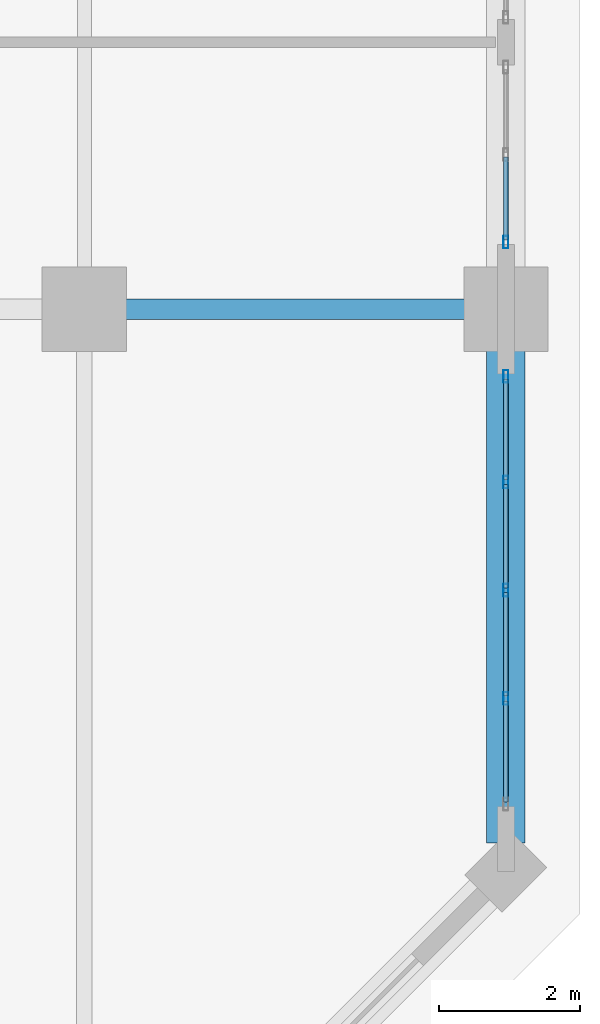
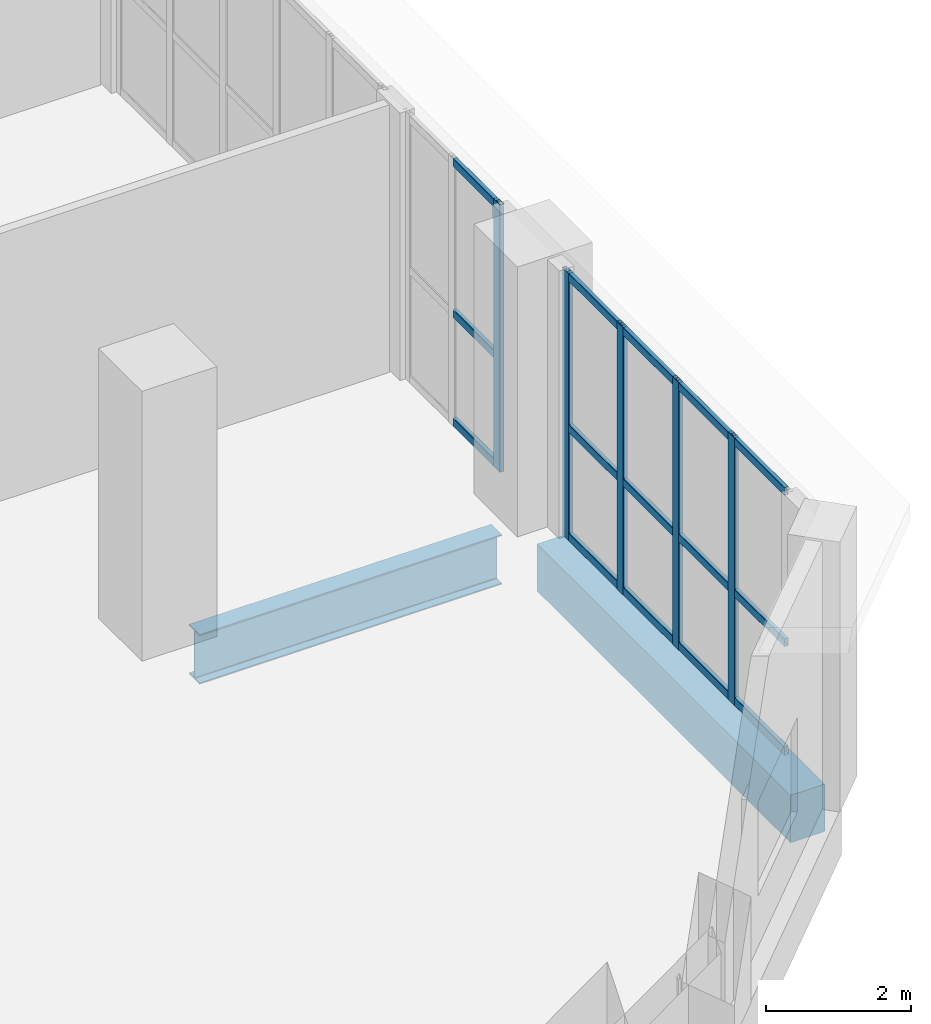
# One storey, part 20 of 37: 20 members, 2 beams, 2 elements without a shape of their own.
"""IFC4 building model written with IfcOpenShell, lengths in metres."""

from ifc_helpers import new_model, si_unit, direction, frame, origin, origin_2d, place, context, subcontext, project, spatial, rectangle, hollow_rectangle, i_section, extrude, material, layer, layer_set, material_profile, profile_set, type_object, element, aggregate, save


model = new_model("IFC4")

# Units and contexts
model_context = context("Model", 3, precision=1e-05, world=origin(), true_north=direction((0.0, 1.0)))
body_context = subcontext(model_context, "Body", "Model", "MODEL_VIEW")
ifc_project = project(units=[si_unit("LENGTHUNIT", "METRE"), si_unit("AREAUNIT", "SQUARE_METRE"), si_unit("VOLUMEUNIT", "CUBIC_METRE"), si_unit("PLANEANGLEUNIT", "RADIAN"), si_unit("MASSUNIT", "GRAM", prefix="KILO")], contexts=[model_context])

# Site, building, storey
site_placement = place(None, origin())
site = spatial("IfcSite", under=ifc_project, at=site_placement, CompositionType="ELEMENT")
building_placement = place(site_placement, origin())
building = spatial("IfcBuilding", under=site, at=building_placement, Name="Kaelvorn Grand Hotel", CompositionType="ELEMENT")
storey_placement = place(building_placement, frame((0.0, 0.0, 224.35009765625)))
storey = spatial("IfcBuildingStorey", under=building, at=storey_placement, Name="L55", CompositionType="ELEMENT", Elevation=224.35009765625)

# Beams
ifc_material_1 = material(Name="Steel S355", Category="steel")
ifc_material_profile_1 = material_profile(ifc_material_1, i_section(OverallWidth=0.29248046875, OverallDepth=0.8408203125, WebThickness=0.0146484375, FlangeThickness=0.021728515625, FilletRadius=0.017822265625, at=origin_2d()), Name="UB 838x292x194")
ifc_profile_set_1 = profile_set([ifc_material_profile_1], Name="Steel S355")
beam_type_1 = type_object("IfcBeamType", Name="BM-G-UB838-S355", PredefinedType="BEAM", material=ifc_profile_set_1)
beam_1_placement = place(storey_placement, frame((75.5849609375, 15.0, -0.660400390625), z_axis=(1.0, 0.0, 0.0), x_axis=(0.0, 1.0, 0.0)))
element("IfcBeam", 1, at=beam_1_placement, inside=storey, type_object=beam_type_1, Name="L55 Primary Spine Steel Girder G-15 07", PredefinedType="BEAM", context=body_context, shape_type="SweptSolid", body=[
    extrude(i_section(OverallWidth=0.29248046875, OverallDepth=0.8408203125, WebThickness=0.0146484375, FlangeThickness=0.021728515625, FilletRadius=0.017822265625, at=origin_2d()), origin(), (0.0, 0.0, 1.0), 4.830078125),
])
ifc_material_2 = material(Name="Concrete C50/60", Category="concrete")
ifc_material_profile_2 = material_profile(ifc_material_2, rectangle(XDim=0.550048828125, YDim=0.800048828125, at=origin_2d()), Name="RC SPANDREL 550x800")
ifc_profile_set_2 = profile_set([ifc_material_profile_2], Name="Concrete C50/60")
beam_type_2 = type_object("IfcBeamType", Name="BM-SP-550x800-C50", PredefinedType="SPANDREL", material=ifc_profile_set_2)
beam_2_placement = place(storey_placement, frame((81.0, 7.405029296875, -0.64013671875), z_axis=(0.0, 1.0, 0.0), x_axis=(-1.0, 0.0, 0.0)))
element("IfcBeam", 2, at=beam_2_placement, inside=storey, type_object=beam_type_2, Name="L55 East Perimeter Spandrel 01", PredefinedType="SPANDREL", context=body_context, shape_type="SweptSolid", body=[
    extrude(rectangle(XDim=0.550048828125, YDim=0.800048828125, at=origin_2d()), origin(), (0.0, 0.0, 1.0), 7.010009765625),
])

# Curtain wall, members
ifc_material_3 = material(Name="Anodised Aluminium", Category="aluminium")
ifc_layer = layer(ifc_material_3, 0.179931640625)
ifc_layer_set = layer_set([ifc_layer], Name="Anodised Aluminium")
curtain_wall_type = type_object("IfcCurtainWallType", Name="CW-SYS4", PredefinedType="NOTDEFINED", material=ifc_layer_set)
curtain_wall_1_placement = place(storey_placement, origin())
curtain_wall_1 = element("IfcCurtainWall", 3, at=curtain_wall_1_placement, inside=storey, type_object=curtain_wall_type, Name="L55 Unitised Curtain Wall CW4 (CW-L55-E-01)", PredefinedType="NOTDEFINED")
ifc_material_profile_3 = material_profile(ifc_material_3, hollow_rectangle(XDim=0.070068359375, YDim=0.179931640625, WallThickness=0.00390625, InnerFilletRadius=0.00390625, OuterFilletRadius=0.008056640625, at=origin_2d()), Name="ALU MULL 70x180")
ifc_profile_set_3 = profile_set([ifc_material_profile_3], Name="Anodised Aluminium")
member_type_1 = type_object("IfcMemberType", Name="CW-SYS4-MULL", PredefinedType="MULLION", material=ifc_profile_set_3)
member_1_placement = place(storey_placement, frame((81.0, 9.4599609375, 0.0), z_axis=(0.0, 0.0, 1.0), x_axis=(-1.0, 0.0, 0.0)))
member_1 = element("IfcMember", 4, at=member_1_placement, type_object=member_type_1, Name="CW4 mullion 2", PredefinedType="MULLION", context=body_context, shape_type="SweptSolid", body=[
    extrude(hollow_rectangle(XDim=0.070068359375, YDim=0.179931640625, WallThickness=0.00390625, InnerFilletRadius=0.00390625, OuterFilletRadius=0.008056640625, at=origin_2d()), origin(), (0.0, 0.0, 1.0), 4.52001953125),
])
member_2_placement = place(storey_placement, frame((81.0, 11.0, 0.0), z_axis=(0.0, 0.0, 1.0), x_axis=(-1.0, 0.0, 0.0)))
member_2 = element("IfcMember", 5, at=member_2_placement, type_object=member_type_1, Name="CW4 mullion 3", PredefinedType="MULLION", context=body_context, shape_type="SweptSolid", body=[
    extrude(hollow_rectangle(XDim=0.070068359375, YDim=0.179931640625, WallThickness=0.00390625, InnerFilletRadius=0.00390625, OuterFilletRadius=0.008056640625, at=origin_2d()), origin(), (0.0, 0.0, 1.0), 4.52001953125),
])
member_3_placement = place(storey_placement, frame((81.0, 12.5400390625, 0.0), z_axis=(0.0, 0.0, 1.0), x_axis=(-1.0, 0.0, 0.0)))
member_3 = element("IfcMember", 6, at=member_3_placement, type_object=member_type_1, Name="CW4 mullion 4", PredefinedType="MULLION", context=body_context, shape_type="SweptSolid", body=[
    extrude(hollow_rectangle(XDim=0.070068359375, YDim=0.179931640625, WallThickness=0.00390625, InnerFilletRadius=0.00390625, OuterFilletRadius=0.008056640625, at=origin_2d()), origin(), (0.0, 0.0, 1.0), 4.52001953125),
])
member_4_placement = place(storey_placement, frame((81.0, 14.044921875, 0.0), z_axis=(0.0, 0.0, 1.0), x_axis=(-1.0, 0.0, 0.0)))
member_4 = element("IfcMember", 7, at=member_4_placement, type_object=member_type_1, Name="CW4 mullion 5", PredefinedType="MULLION", context=body_context, shape_type="SweptSolid", body=[
    extrude(hollow_rectangle(XDim=0.070068359375, YDim=0.179931640625, WallThickness=0.00390625, InnerFilletRadius=0.00390625, OuterFilletRadius=0.008056640625, at=origin_2d()), origin(), (0.0, 0.0, 1.0), 4.52001953125),
])

# Curtain wall, member
curtain_wall_2_placement = place(storey_placement, origin())
curtain_wall_2 = element("IfcCurtainWall", 8, at=curtain_wall_2_placement, inside=storey, type_object=curtain_wall_type, Name="L55 Unitised Curtain Wall CW4 (CW-L55-E-02)", PredefinedType="NOTDEFINED")
member_5_placement = place(storey_placement, frame((81.0, 15.955078125, 0.0), z_axis=(0.0, 0.0, 1.0), x_axis=(-1.0, 0.0, 0.0)))
member_5 = element("IfcMember", 9, at=member_5_placement, type_object=member_type_1, Name="CW4 mullion 1", PredefinedType="MULLION", context=body_context, shape_type="SweptSolid", body=[
    extrude(hollow_rectangle(XDim=0.070068359375, YDim=0.179931640625, WallThickness=0.00390625, InnerFilletRadius=0.00390625, OuterFilletRadius=0.008056640625, at=origin_2d()), origin(), (0.0, 0.0, 1.0), 4.52001953125),
])

# Member
ifc_material_profile_4 = material_profile(ifc_material_3, hollow_rectangle(XDim=0.070068359375, YDim=0.135009765625, WallThickness=0.00341796875, InnerFilletRadius=0.00341796875, OuterFilletRadius=0.007080078125, at=origin_2d()), Name="ALU TRAN 70x135")
ifc_profile_set_4 = profile_set([ifc_material_profile_4], Name="Anodised Aluminium")
member_type_2 = type_object("IfcMemberType", Name="CW-SYS4-TRAN", PredefinedType="NOTDEFINED", material=ifc_profile_set_4)
member_6_placement = place(storey_placement, frame((81.0, 7.989990234375, 0.0673828125), z_axis=(0.0, 1.0, 0.0), x_axis=(-1.0, 0.0, 0.0)))
member_6 = element("IfcMember", 10, at=member_6_placement, type_object=member_type_2, Name="CW4 transom 1.1", ObjectType="TRANSOM", PredefinedType="USERDEFINED", context=body_context, shape_type="SweptSolid", body=[
    extrude(hollow_rectangle(XDim=0.070068359375, YDim=0.135009765625, WallThickness=0.00341796875, InnerFilletRadius=0.00341796875, OuterFilletRadius=0.007080078125, at=origin_2d()), origin(), (0.0, 0.0, 1.0), 1.43505859375),
])

member_7_placement = place(storey_placement, frame((81.0, 7.989990234375, 1.898193359375), z_axis=(0.0, 1.0, 0.0), x_axis=(-1.0, 0.0, 0.0)))
member_7 = element("IfcMember", 11, at=member_7_placement, type_object=member_type_2, Name="CW4 transom 1.2", ObjectType="TRANSOM", PredefinedType="USERDEFINED", context=body_context, shape_type="SweptSolid", body=[
    extrude(hollow_rectangle(XDim=0.070068359375, YDim=0.135009765625, WallThickness=0.00341796875, InnerFilletRadius=0.00341796875, OuterFilletRadius=0.007080078125, at=origin_2d()), origin(), (0.0, 0.0, 1.0), 1.43505859375),
])

member_8_placement = place(storey_placement, frame((81.0, 7.989990234375, 4.452392578125), z_axis=(0.0, 1.0, 0.0), x_axis=(-1.0, 0.0, 0.0)))
member_8 = element("IfcMember", 12, at=member_8_placement, type_object=member_type_2, Name="CW4 transom 1.3", ObjectType="TRANSOM", PredefinedType="USERDEFINED", context=body_context, shape_type="SweptSolid", body=[
    extrude(hollow_rectangle(XDim=0.070068359375, YDim=0.135009765625, WallThickness=0.00341796875, InnerFilletRadius=0.00341796875, OuterFilletRadius=0.007080078125, at=origin_2d()), origin(), (0.0, 0.0, 1.0), 1.43505859375),
])

member_9_placement = place(storey_placement, frame((81.0, 9.4951171875, 0.0673828125), z_axis=(0.0, 1.0, 0.0), x_axis=(-1.0, 0.0, 0.0)))
member_9 = element("IfcMember", 13, at=member_9_placement, type_object=member_type_2, Name="CW4 transom 2.1", ObjectType="TRANSOM", PredefinedType="USERDEFINED", context=body_context, shape_type="SweptSolid", body=[
    extrude(hollow_rectangle(XDim=0.070068359375, YDim=0.135009765625, WallThickness=0.00341796875, InnerFilletRadius=0.00341796875, OuterFilletRadius=0.007080078125, at=origin_2d()), origin(), (0.0, 0.0, 1.0), 1.469970703125),
])

member_10_placement = place(storey_placement, frame((81.0, 9.4951171875, 1.898193359375), z_axis=(0.0, 1.0, 0.0), x_axis=(-1.0, 0.0, 0.0)))
member_10 = element("IfcMember", 14, at=member_10_placement, type_object=member_type_2, Name="CW4 transom 2.2", ObjectType="TRANSOM", PredefinedType="USERDEFINED", context=body_context, shape_type="SweptSolid", body=[
    extrude(hollow_rectangle(XDim=0.070068359375, YDim=0.135009765625, WallThickness=0.00341796875, InnerFilletRadius=0.00341796875, OuterFilletRadius=0.007080078125, at=origin_2d()), origin(), (0.0, 0.0, 1.0), 1.469970703125),
])

member_11_placement = place(storey_placement, frame((81.0, 9.4951171875, 4.452392578125), z_axis=(0.0, 1.0, 0.0), x_axis=(-1.0, 0.0, 0.0)))
member_11 = element("IfcMember", 15, at=member_11_placement, type_object=member_type_2, Name="CW4 transom 2.3", ObjectType="TRANSOM", PredefinedType="USERDEFINED", context=body_context, shape_type="SweptSolid", body=[
    extrude(hollow_rectangle(XDim=0.070068359375, YDim=0.135009765625, WallThickness=0.00341796875, InnerFilletRadius=0.00341796875, OuterFilletRadius=0.007080078125, at=origin_2d()), origin(), (0.0, 0.0, 1.0), 1.469970703125),
])

member_12_placement = place(storey_placement, frame((81.0, 11.034912109375, 0.0673828125), z_axis=(0.0, 1.0, 0.0), x_axis=(-1.0, 0.0, 0.0)))
member_12 = element("IfcMember", 16, at=member_12_placement, type_object=member_type_2, Name="CW4 transom 3.1", ObjectType="TRANSOM", PredefinedType="USERDEFINED", context=body_context, shape_type="SweptSolid", body=[
    extrude(hollow_rectangle(XDim=0.070068359375, YDim=0.135009765625, WallThickness=0.00341796875, InnerFilletRadius=0.00341796875, OuterFilletRadius=0.007080078125, at=origin_2d()), origin(), (0.0, 0.0, 1.0), 1.469970703125),
])

member_13_placement = place(storey_placement, frame((81.0, 11.034912109375, 1.898193359375), z_axis=(0.0, 1.0, 0.0), x_axis=(-1.0, 0.0, 0.0)))
member_13 = element("IfcMember", 17, at=member_13_placement, type_object=member_type_2, Name="CW4 transom 3.2", ObjectType="TRANSOM", PredefinedType="USERDEFINED", context=body_context, shape_type="SweptSolid", body=[
    extrude(hollow_rectangle(XDim=0.070068359375, YDim=0.135009765625, WallThickness=0.00341796875, InnerFilletRadius=0.00341796875, OuterFilletRadius=0.007080078125, at=origin_2d()), origin(), (0.0, 0.0, 1.0), 1.469970703125),
])

member_14_placement = place(storey_placement, frame((81.0, 11.034912109375, 4.452392578125), z_axis=(0.0, 1.0, 0.0), x_axis=(-1.0, 0.0, 0.0)))
member_14 = element("IfcMember", 18, at=member_14_placement, type_object=member_type_2, Name="CW4 transom 3.3", ObjectType="TRANSOM", PredefinedType="USERDEFINED", context=body_context, shape_type="SweptSolid", body=[
    extrude(hollow_rectangle(XDim=0.070068359375, YDim=0.135009765625, WallThickness=0.00341796875, InnerFilletRadius=0.00341796875, OuterFilletRadius=0.007080078125, at=origin_2d()), origin(), (0.0, 0.0, 1.0), 1.469970703125),
])

member_15_placement = place(storey_placement, frame((81.0, 12.574951171875, 0.0673828125), z_axis=(0.0, 1.0, 0.0), x_axis=(-1.0, 0.0, 0.0)))
member_15 = element("IfcMember", 19, at=member_15_placement, type_object=member_type_2, Name="CW4 transom 4.1", ObjectType="TRANSOM", PredefinedType="USERDEFINED", context=body_context, shape_type="SweptSolid", body=[
    extrude(hollow_rectangle(XDim=0.070068359375, YDim=0.135009765625, WallThickness=0.00341796875, InnerFilletRadius=0.00341796875, OuterFilletRadius=0.007080078125, at=origin_2d()), origin(), (0.0, 0.0, 1.0), 1.43505859375),
])

member_16_placement = place(storey_placement, frame((81.0, 12.574951171875, 1.898193359375), z_axis=(0.0, 1.0, 0.0), x_axis=(-1.0, 0.0, 0.0)))
member_16 = element("IfcMember", 20, at=member_16_placement, type_object=member_type_2, Name="CW4 transom 4.2", ObjectType="TRANSOM", PredefinedType="USERDEFINED", context=body_context, shape_type="SweptSolid", body=[
    extrude(hollow_rectangle(XDim=0.070068359375, YDim=0.135009765625, WallThickness=0.00341796875, InnerFilletRadius=0.00341796875, OuterFilletRadius=0.007080078125, at=origin_2d()), origin(), (0.0, 0.0, 1.0), 1.43505859375),
])

member_17_placement = place(storey_placement, frame((81.0, 12.574951171875, 4.452392578125), z_axis=(0.0, 1.0, 0.0), x_axis=(-1.0, 0.0, 0.0)))
member_17 = element("IfcMember", 21, at=member_17_placement, type_object=member_type_2, Name="CW4 transom 4.3", ObjectType="TRANSOM", PredefinedType="USERDEFINED", context=body_context, shape_type="SweptSolid", body=[
    extrude(hollow_rectangle(XDim=0.070068359375, YDim=0.135009765625, WallThickness=0.00341796875, InnerFilletRadius=0.00341796875, OuterFilletRadius=0.007080078125, at=origin_2d()), origin(), (0.0, 0.0, 1.0), 1.43505859375),
])

aggregate(curtain_wall_1, [member_1, member_2, member_3, member_4, member_6, member_7, member_8, member_9, member_10, member_11, member_12, member_13, member_14, member_15, member_16, member_17])

member_18_placement = place(storey_placement, frame((81.0, 15.989990234375, 0.0673828125), z_axis=(0.0, 1.0, 0.0), x_axis=(-1.0, 0.0, 0.0)))
member_18 = element("IfcMember", 22, at=member_18_placement, type_object=member_type_2, Name="CW4 transom 1.1", ObjectType="TRANSOM", PredefinedType="USERDEFINED", context=body_context, shape_type="SweptSolid", body=[
    extrude(hollow_rectangle(XDim=0.070068359375, YDim=0.135009765625, WallThickness=0.00341796875, InnerFilletRadius=0.00341796875, OuterFilletRadius=0.007080078125, at=origin_2d()), origin(), (0.0, 0.0, 1.0), 1.175048828125),
])

member_19_placement = place(storey_placement, frame((81.0, 15.989990234375, 1.898193359375), z_axis=(0.0, 1.0, 0.0), x_axis=(-1.0, 0.0, 0.0)))
member_19 = element("IfcMember", 23, at=member_19_placement, type_object=member_type_2, Name="CW4 transom 1.2", ObjectType="TRANSOM", PredefinedType="USERDEFINED", context=body_context, shape_type="SweptSolid", body=[
    extrude(hollow_rectangle(XDim=0.070068359375, YDim=0.135009765625, WallThickness=0.00341796875, InnerFilletRadius=0.00341796875, OuterFilletRadius=0.007080078125, at=origin_2d()), origin(), (0.0, 0.0, 1.0), 1.175048828125),
])

member_20_placement = place(storey_placement, frame((81.0, 15.989990234375, 4.452392578125), z_axis=(0.0, 1.0, 0.0), x_axis=(-1.0, 0.0, 0.0)))
member_20 = element("IfcMember", 24, at=member_20_placement, type_object=member_type_2, Name="CW4 transom 1.3", ObjectType="TRANSOM", PredefinedType="USERDEFINED", context=body_context, shape_type="SweptSolid", body=[
    extrude(hollow_rectangle(XDim=0.070068359375, YDim=0.135009765625, WallThickness=0.00341796875, InnerFilletRadius=0.00341796875, OuterFilletRadius=0.007080078125, at=origin_2d()), origin(), (0.0, 0.0, 1.0), 1.175048828125),
])

aggregate(curtain_wall_2, [member_5, member_18, member_19, member_20])

save(model, "model.ifc")
